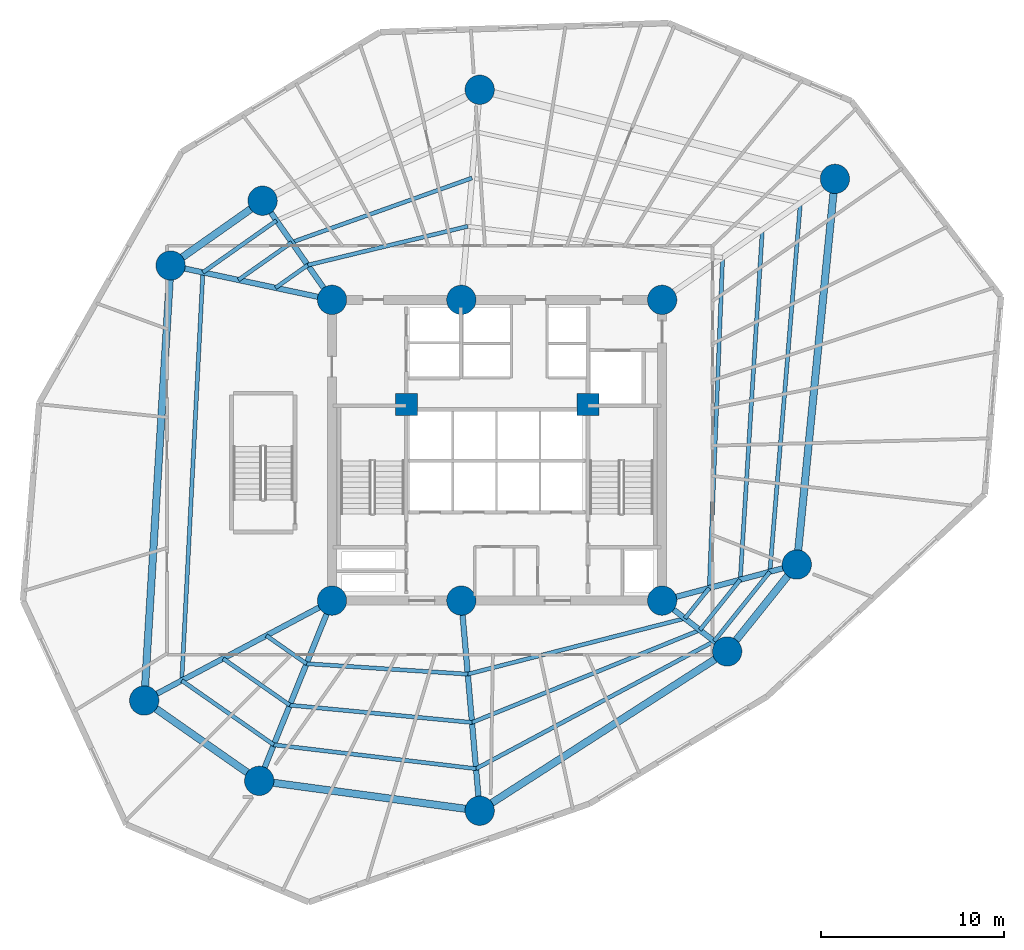
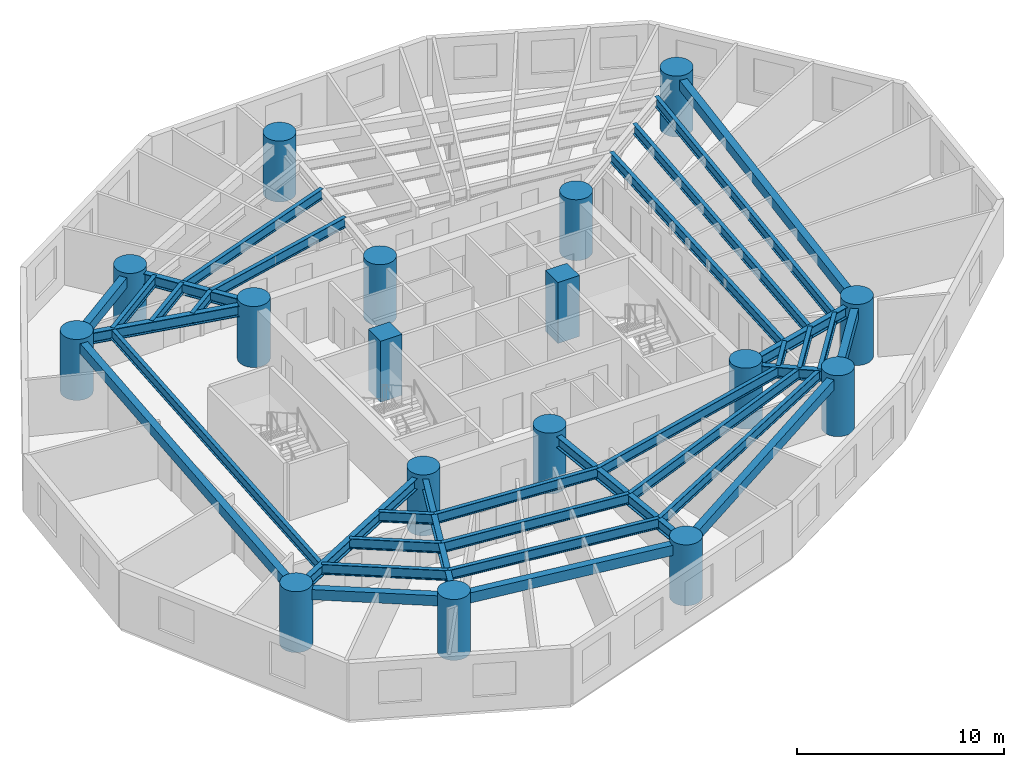
# One storey, part 1 of 8: 35 beams, 17 columns.
"""IFC4 building model written with IfcOpenShell, lengths in metres."""

from ifc_helpers import new_model, si_unit, direction, frame, origin, origin_with_axes, origin_2d, place, context, subcontext, project, spatial, rectangle, circle, i_section, extrude, source, transform, mapped, material, material_profile, profile_set, type_object, element, save


model = new_model("IFC4")

# Units and contexts
model_context = context("Model", 3, precision=1e-05, world=origin(), true_north=direction((0.0, 1.0)))
body_context = subcontext(model_context, "Body", "Model", "MODEL_VIEW")
ifc_project = project(units=[si_unit("LENGTHUNIT", "METRE"), si_unit("AREAUNIT", "SQUARE_METRE"), si_unit("VOLUMEUNIT", "CUBIC_METRE"), si_unit("PLANEANGLEUNIT", "RADIAN"), si_unit("MASSUNIT", "GRAM", prefix="KILO")], contexts=[model_context])

# Site, building, storey
site_placement = place(None, origin())
site = spatial("IfcSite", under=ifc_project, at=site_placement, CompositionType="ELEMENT")
building_placement = place(site_placement, origin())
building = spatial("IfcBuilding", under=site, at=building_placement, Name="Karkom Vertical University and Central Library", CompositionType="ELEMENT")
storey_placement = place(building_placement, frame((0.0, 0.0, 33.699951171875)))
storey = spatial("IfcBuildingStorey", under=building, at=storey_placement, Name="L08", CompositionType="ELEMENT", Elevation=33.699951171875)

# Columns
ifc_material_1 = material(Name="Concrete C50/60", Category="concrete")
ifc_material_profile_1 = material_profile(ifc_material_1, circle(Radius=0.800048828125, at=origin_2d()), Name="CFT-D1600")
ifc_profile_set_1 = profile_set([ifc_material_profile_1], Name="Concrete C50/60")
column_type_1 = type_object("IfcColumnType", Name="STR-COL-C-SC2", PredefinedType="COLUMN", material=ifc_profile_set_1)
shared_shape_1 = source(origin_with_axes(), body_context, "Body", "SweptSolid", [
    extrude(circle(Radius=0.800048828125, at=origin_2d()), origin(), (0.0, 0.0, 1.0), 3.60009765625),
])
for number, where, z_axis, x_axis, name in (
    (1, (19.5, 18.300048828125, 0.0), (0.0, 0.0, 1.0), (1.0, 0.0, 0.0), "Level 08 Spine Mega-Column SC-1"),
    (2, (26.550048828125, 18.300048828125, 0.0), (0.0, 0.0, 1.0), (1.0, 0.0, 0.0), "Level 08 Spine Mega-Column SC-2"),
    (3, (37.5, 18.300048828125, 0.0), (0.0, 0.0, 1.0), (1.0, 0.0, 0.0), "Level 08 Spine Mega-Column SC-3"),
    (4, (19.5, 34.699951171875, 0.0), (0.0, 0.0, 1.0), (1.0, 0.0, 0.0), "Level 08 Spine Mega-Column SC-4"),
    (5, (26.550048828125, 34.699951171875, 0.0), (0.0, 0.0, 1.0), (1.0, 0.0, 0.0), "Level 08 Spine Mega-Column SC-5"),
    (6, (37.5, 34.699951171875, 0.0), (0.0, 0.0, 1.0), (1.0, 0.0, 0.0), "Level 08 Spine Mega-Column SC-6"),
    (7, (44.841064453125, 20.26708984375, 0.0), (0.0, 0.0, 1.0), (1.0, 0.0, 0.0), "Level 08 Perimeter Mega-Column Z1-PC1"),
    (8, (46.919921875, 41.2958984375, 0.0), (0.0, 0.0, 1.0), (1.0, 0.0, 0.0), "Level 08 Perimeter Mega-Column Z1-PC2"),
    (9, (27.552001953125, 46.156005859375, 0.0), (0.0, 0.0, 1.0), (1.0, 0.0, 0.0), "Level 08 Perimeter Mega-Column Z1-PC3"),
    (10, (15.714111328125, 40.10595703125, 0.0), (0.0, 0.0, 1.0), (1.0, 0.0, 0.0), "Level 08 Perimeter Mega-Column Z1-PC4"),
    (11, (10.697021484375, 36.571044921875, 0.0), (0.0, 0.0, 1.0), (1.0, 0.0, 0.0), "Level 08 Perimeter Mega-Column Z1-PC5"),
    (12, (9.258056640625, 12.85400390625, 0.0), (0.0, 0.0, 1.0), (1.0, 0.0, 0.0), "Level 08 Perimeter Mega-Column Z1-PC6"),
    (13, (15.529052734375, 8.471923828125, 0.0), (0.0, 0.0, 1.0), (1.0, 0.0, 0.0), "Level 08 Perimeter Mega-Column Z1-PC7"),
    (14, (27.552001953125, 6.843994140625, 0.0), (0.0, 0.0, 1.0), (1.0, 0.0, 0.0), "Level 08 Perimeter Mega-Column Z1-PC8"),
    (15, (41.0458984375, 15.530029296875, 0.0), (0.0, 0.0, 1.0), (1.0, 0.0, 0.0), "Level 08 Perimeter Mega-Column Z1-PC9"),
):
    element("IfcColumn", number, at=place(storey_placement, frame(where, z_axis=z_axis, x_axis=x_axis)), inside=storey, type_object=column_type_1, Name=name, PredefinedType="COLUMN", context=body_context, shape_type="MappedRepresentation", body=[
        mapped(shared_shape_1, transform((0.0, 0.0, 0.0), scale=1.0)),
    ])
ifc_material_profile_2 = material_profile(ifc_material_1, rectangle(XDim=1.199951171875, YDim=1.199951171875, at=origin_2d()), Name="RC-1200x1200")
ifc_profile_set_2 = profile_set([ifc_material_profile_2], Name="Concrete C50/60")
column_type_2 = type_object("IfcColumnType", Name="STR-COL-C-CC1", PredefinedType="COLUMN", material=ifc_profile_set_2)
shared_shape_2 = source(origin_with_axes(), body_context, "Body", "SweptSolid", [
    extrude(rectangle(XDim=1.199951171875, YDim=1.199951171875, at=origin_2d()), origin(), (0.0, 0.0, 1.0), 3.60009765625),
])
for number, where, z_axis, x_axis, name in (
    (16, (23.550048828125, 29.0, 0.0), (0.0, 0.0, 1.0), (1.0, 0.0, 0.0), "Level 08 Core Node Column CC-1"),
    (17, (33.449951171875, 29.0, 0.0), (0.0, 0.0, 1.0), (1.0, 0.0, 0.0), "Level 08 Core Node Column CC-2"),
):
    element("IfcColumn", number, at=place(storey_placement, frame(where, z_axis=z_axis, x_axis=x_axis)), inside=storey, type_object=column_type_2, Name=name, PredefinedType="COLUMN", context=body_context, shape_type="MappedRepresentation", body=[
        mapped(shared_shape_2, transform((0.0, 0.0, 0.0), scale=1.0)),
    ])

# Beams
ifc_material_2 = material(Name="Steel S355", Category="steel")
ifc_material_profile_3 = material_profile(ifc_material_2, i_section(OverallWidth=0.300048828125, OverallDepth=0.64990234375, WebThickness=0.01611328125, FlangeThickness=0.031005859375, FilletRadius=0.027099609375, at=origin_2d()), Name="HE 650 B")
ifc_profile_set_3 = profile_set([ifc_material_profile_3], Name="Steel S355")
beam_type_1 = type_object("IfcBeamType", Name="STR-BM-SB-HE650", PredefinedType="USERDEFINED", material=ifc_profile_set_3)
shared_shape_3 = source(origin_with_axes(), body_context, "Body", "SweptSolid", [
    extrude(i_section(OverallWidth=0.300048828125, OverallDepth=0.64990234375, WebThickness=0.01611328125, FlangeThickness=0.031005859375, FilletRadius=0.027099609375, at=origin_2d()), origin(), (0.0, 0.0, 1.0), 7.60009765625),
])
beam_1_placement = place(storey_placement, frame((37.5, 18.300048828125, 3.025146484375), z_axis=(0.965925539322, 0.258820116077, 0.0), x_axis=(-0.258820116077, 0.965925539322, 0.0)))
element("IfcBeam", 18, at=beam_1_placement, inside=storey, type_object=beam_type_1, Name="Level 08 Radial Frame Girder 01", ObjectType="GIRDER", PredefinedType="USERDEFINED", context=body_context, shape_type="MappedRepresentation", body=[
    mapped(shared_shape_3, transform((0.0, 0.0, 0.0), scale=1.0)),
])
shared_shape_4 = source(origin_with_axes(), body_context, "Body", "SweptSolid", [
    extrude(i_section(OverallWidth=0.300048828125, OverallDepth=0.64990234375, WebThickness=0.01611328125, FlangeThickness=0.031005859375, FilletRadius=0.027099609375, at=origin_2d()), origin(), (0.0, 0.0, 1.0), 11.499755859375),
])
beam_2_placement = place(storey_placement, frame((26.550048828125, 18.300048828125, 3.025146484375), z_axis=(0.087127973109, -0.99619712723, 0.0), x_axis=(0.99619712723, 0.087127973109, 0.0)))
element("IfcBeam", 19, at=beam_2_placement, inside=storey, type_object=beam_type_1, Name="Level 08 Radial Frame Girder 08", ObjectType="GIRDER", PredefinedType="USERDEFINED", context=body_context, shape_type="MappedRepresentation", body=[
    mapped(shared_shape_4, transform((0.0, 0.0, 0.0), scale=1.0)),
])
shared_shape_5 = source(origin_with_axes(), body_context, "Body", "SweptSolid", [
    extrude(i_section(OverallWidth=0.300048828125, OverallDepth=0.64990234375, WebThickness=0.01611328125, FlangeThickness=0.031005859375, FilletRadius=0.027099609375, at=origin_2d()), origin(), (0.0, 0.0, 1.0), 6.599853515625),
])
beam_3_placement = place(storey_placement, frame((19.5, 34.699951171875, 3.025146484375), z_axis=(-0.573633636671, 0.819111989218, 0.0), x_axis=(-0.819111989218, -0.573633636671, 0.0)))
element("IfcBeam", 20, at=beam_3_placement, inside=storey, type_object=beam_type_1, Name="Level 08 Radial Frame Girder 04", ObjectType="GIRDER", PredefinedType="USERDEFINED", context=body_context, shape_type="MappedRepresentation", body=[
    mapped(shared_shape_5, transform((0.0, 0.0, 0.0), scale=1.0)),
])
shared_shape_6 = source(origin_with_axes(), body_context, "Body", "SweptSolid", [
    extrude(i_section(OverallWidth=0.300048828125, OverallDepth=0.64990234375, WebThickness=0.01611328125, FlangeThickness=0.031005859375, FilletRadius=0.027099609375, at=origin_2d()), origin(), (0.0, 0.0, 1.0), 8.999755859375),
])
beam_4_placement = place(storey_placement, frame((19.5, 34.699951171875, 3.025146484375), z_axis=(-0.978148438993, 0.207907747079, 0.0), x_axis=(-0.207907747079, -0.978148438993, 0.0)))
element("IfcBeam", 21, at=beam_4_placement, inside=storey, type_object=beam_type_1, Name="Level 08 Radial Frame Girder 05", ObjectType="GIRDER", PredefinedType="USERDEFINED", context=body_context, shape_type="MappedRepresentation", body=[
    mapped(shared_shape_6, transform((0.0, 0.0, 0.0), scale=1.0)),
])
shared_shape_7 = source(origin_with_axes(), body_context, "Body", "SweptSolid", [
    extrude(i_section(OverallWidth=0.300048828125, OverallDepth=0.64990234375, WebThickness=0.01611328125, FlangeThickness=0.031005859375, FilletRadius=0.027099609375, at=origin_2d()), origin(), (0.0, 0.0, 1.0), 11.599853515625),
])
beam_5_placement = place(storey_placement, frame((19.5, 18.300048828125, 3.025146484375), z_axis=(-0.882936620635, -0.469492197957, 0.0), x_axis=(0.469492197957, -0.882936620635, 0.0)))
element("IfcBeam", 22, at=beam_5_placement, inside=storey, type_object=beam_type_1, Name="Level 08 Radial Frame Girder 06", ObjectType="GIRDER", PredefinedType="USERDEFINED", context=body_context, shape_type="MappedRepresentation", body=[
    mapped(shared_shape_7, transform((0.0, 0.0, 0.0), scale=1.0)),
])
shared_shape_8 = source(origin_with_axes(), body_context, "Body", "SweptSolid", [
    extrude(i_section(OverallWidth=0.300048828125, OverallDepth=0.64990234375, WebThickness=0.01611328125, FlangeThickness=0.031005859375, FilletRadius=0.027099609375, at=origin_2d()), origin(), (0.0, 0.0, 1.0), 10.60009765625),
])
beam_6_placement = place(storey_placement, frame((19.5, 18.300048828125, 3.025146484375), z_axis=(-0.374616894394, -0.927179692635, 0.0), x_axis=(0.927179692635, -0.374616894394, 0.0)))
element("IfcBeam", 23, at=beam_6_placement, inside=storey, type_object=beam_type_1, Name="Level 08 Radial Frame Girder 07", ObjectType="GIRDER", PredefinedType="USERDEFINED", context=body_context, shape_type="MappedRepresentation", body=[
    mapped(shared_shape_8, transform((0.0, 0.0, 0.0), scale=1.0)),
])
shared_shape_9 = source(origin_with_axes(), body_context, "Body", "SweptSolid", [
    extrude(i_section(OverallWidth=0.300048828125, OverallDepth=0.64990234375, WebThickness=0.01611328125, FlangeThickness=0.031005859375, FilletRadius=0.027099609375, at=origin_2d()), origin(), (0.0, 0.0, 1.0), 4.49951171875),
])
beam_7_placement = place(storey_placement, frame((37.5, 18.300048828125, 3.025146484375), z_axis=(0.788047405801, -0.615614559778, 0.0), x_axis=(0.615614559778, 0.788047405801, 0.0)))
element("IfcBeam", 24, at=beam_7_placement, inside=storey, type_object=beam_type_1, Name="Level 08 Radial Frame Girder 09", ObjectType="GIRDER", PredefinedType="USERDEFINED", context=body_context, shape_type="MappedRepresentation", body=[
    mapped(shared_shape_9, transform((0.0, 0.0, 0.0), scale=1.0)),
])
ifc_material_3 = material(Name="Precast concrete C45/55", Category="concrete")
ifc_material_profile_4 = material_profile(ifc_material_3, rectangle(XDim=0.39990234375, YDim=0.60009765625, at=origin_2d()), Name="SPB-400x600")
ifc_profile_set_4 = profile_set([ifc_material_profile_4], Name="Precast concrete C45/55")
beam_type_2 = type_object("IfcBeamType", Name="STR-BM-SP-1", PredefinedType="SPANDREL", material=ifc_profile_set_4)
shared_shape_10 = source(origin_with_axes(), body_context, "Body", "SweptSolid", [
    extrude(rectangle(XDim=0.39990234375, YDim=0.60009765625, at=origin_2d()), origin(), (0.0, 0.0, 1.0), 21.13134765625),
])
beam_8_placement = place(storey_placement, frame((44.841064453125, 20.26708984375, 3.050048828125), z_axis=(0.0983780471, 0.995149114379, 0.0), x_axis=(-0.995149114379, 0.0983780471, 0.0)))
element("IfcBeam", 25, at=beam_8_placement, inside=storey, type_object=beam_type_2, Name="Level 08 Perimeter Spandrel Beam 01", PredefinedType="SPANDREL", context=body_context, shape_type="MappedRepresentation", body=[
    mapped(shared_shape_10, transform((0.0, 0.0, 0.0), scale=1.0)),
])
shared_shape_11 = source(origin_with_axes(), body_context, "Body", "SweptSolid", [
    extrude(rectangle(XDim=0.39990234375, YDim=0.60009765625, at=origin_2d()), origin(), (0.0, 0.0, 1.0), 6.13720703125),
])
beam_9_placement = place(storey_placement, frame((15.714111328125, 40.10595703125, 3.050048828125), z_axis=(-0.817471365538, -0.575969240955, 0.0), x_axis=(0.575969240955, -0.817471365538, 0.0)))
element("IfcBeam", 26, at=beam_9_placement, inside=storey, type_object=beam_type_2, Name="Level 08 Perimeter Spandrel Beam 04", PredefinedType="SPANDREL", context=body_context, shape_type="MappedRepresentation", body=[
    mapped(shared_shape_11, transform((0.0, 0.0, 0.0), scale=1.0)),
])
shared_shape_12 = source(origin_with_axes(), body_context, "Body", "SweptSolid", [
    extrude(rectangle(XDim=0.39990234375, YDim=0.60009765625, at=origin_2d()), origin(), (0.0, 0.0, 1.0), 23.7607421875),
])
beam_10_placement = place(storey_placement, frame((10.697021484375, 36.571044921875, 3.050048828125), z_axis=(-0.060560827767, -0.998164508556, 0.0), x_axis=(0.998164508556, -0.060560827767, 0.0)))
element("IfcBeam", 27, at=beam_10_placement, inside=storey, type_object=beam_type_2, Name="Level 08 Perimeter Spandrel Beam 05", PredefinedType="SPANDREL", context=body_context, shape_type="MappedRepresentation", body=[
    mapped(shared_shape_12, transform((0.0, 0.0, 0.0), scale=1.0)),
])
shared_shape_13 = source(origin_with_axes(), body_context, "Body", "SweptSolid", [
    extrude(rectangle(XDim=0.39990234375, YDim=0.60009765625, at=origin_2d()), origin(), (0.0, 0.0, 1.0), 7.650390625),
])
beam_11_placement = place(storey_placement, frame((9.258056640625, 12.85400390625, 3.050048828125), z_axis=(0.819699409527, -0.572793922822, 0.0), x_axis=(0.572793922822, 0.819699409527, 0.0)))
element("IfcBeam", 28, at=beam_11_placement, inside=storey, type_object=beam_type_2, Name="Level 08 Perimeter Spandrel Beam 06", PredefinedType="SPANDREL", context=body_context, shape_type="MappedRepresentation", body=[
    mapped(shared_shape_13, transform((0.0, 0.0, 0.0), scale=1.0)),
])
shared_shape_14 = source(origin_with_axes(), body_context, "Body", "SweptSolid", [
    extrude(rectangle(XDim=0.39990234375, YDim=0.60009765625, at=origin_2d()), origin(), (0.0, 0.0, 1.0), 12.132568359375),
])
beam_12_placement = place(storey_placement, frame((15.529052734375, 8.471923828125, 3.050048828125), z_axis=(0.990957319008, -0.134177464223, 0.0), x_axis=(0.134177464223, 0.990957319008, 0.0)))
element("IfcBeam", 29, at=beam_12_placement, inside=storey, type_object=beam_type_2, Name="Level 08 Perimeter Spandrel Beam 07", PredefinedType="SPANDREL", context=body_context, shape_type="MappedRepresentation", body=[
    mapped(shared_shape_14, transform((0.0, 0.0, 0.0), scale=1.0)),
])
shared_shape_15 = source(origin_with_axes(), body_context, "Body", "SweptSolid", [
    extrude(rectangle(XDim=0.39990234375, YDim=0.60009765625, at=origin_2d()), origin(), (0.0, 0.0, 1.0), 16.0478515625),
])
beam_13_placement = place(storey_placement, frame((27.552001953125, 6.843994140625, 3.050048828125), z_axis=(0.84085555045, 0.541259589548, 0.0), x_axis=(-0.541259589548, 0.84085555045, 0.0)))
element("IfcBeam", 30, at=beam_13_placement, inside=storey, type_object=beam_type_2, Name="Level 08 Perimeter Spandrel Beam 08", PredefinedType="SPANDREL", context=body_context, shape_type="MappedRepresentation", body=[
    mapped(shared_shape_15, transform((0.0, 0.0, 0.0), scale=1.0)),
])
shared_shape_16 = source(origin_with_axes(), body_context, "Body", "SweptSolid", [
    extrude(rectangle(XDim=0.39990234375, YDim=0.60009765625, at=origin_2d()), origin(), (0.0, 0.0, 1.0), 6.06982421875),
])
beam_14_placement = place(storey_placement, frame((41.0458984375, 15.530029296875, 3.050048828125), z_axis=(0.625249167344, 0.780425190992, 0.0), x_axis=(-0.780425190992, 0.625249167344, 0.0)))
element("IfcBeam", 31, at=beam_14_placement, inside=storey, type_object=beam_type_2, Name="Level 08 Perimeter Spandrel Beam 09", PredefinedType="SPANDREL", context=body_context, shape_type="MappedRepresentation", body=[
    mapped(shared_shape_16, transform((0.0, 0.0, 0.0), scale=1.0)),
])
ifc_material_profile_5 = material_profile(ifc_material_2, i_section(OverallWidth=0.219970703125, OverallDepth=0.60009765625, WebThickness=0.011962890625, FlangeThickness=0.01904296875, FilletRadius=0.02392578125, at=origin_2d()), Name="IPE 600")
ifc_profile_set_5 = profile_set([ifc_material_profile_5], Name="Steel S355")
beam_type_3 = type_object("IfcBeamType", Name="STR-BM-SB-IPE600", PredefinedType="BEAM", material=ifc_profile_set_5)
shared_shape_17 = source(origin_with_axes(), body_context, "Body", "SweptSolid", [
    extrude(i_section(OverallWidth=0.219970703125, OverallDepth=0.60009765625, WebThickness=0.011962890625, FlangeThickness=0.01904296875, FilletRadius=0.02392578125, at=origin_2d()), origin(), (0.0, 0.0, 1.0), 18.03466796875),
])
beam_15_placement = place(storey_placement, frame((40.0693359375, 18.988525390625, 3.050048828125), z_axis=(0.04035458262, 0.999185422062, 0.0), x_axis=(-0.999185422062, 0.04035458262, 0.0)))
element("IfcBeam", 32, at=beam_15_placement, inside=storey, type_object=beam_type_3, Name="Level 08 Secondary Composite Floor Beam 1.01", PredefinedType="BEAM", context=body_context, shape_type="MappedRepresentation", body=[
    mapped(shared_shape_17, transform((0.0, 0.0, 0.0), scale=1.0)),
])
shared_shape_18 = source(origin_with_axes(), body_context, "Body", "SweptSolid", [
    extrude(i_section(OverallWidth=0.219970703125, OverallDepth=0.60009765625, WebThickness=0.011962890625, FlangeThickness=0.01904296875, FilletRadius=0.02392578125, at=origin_2d()), origin(), (0.0, 0.0, 1.0), 8.97900390625),
])
beam_16_placement = place(storey_placement, frame((26.900634765625, 38.709716796875, 3.050048828125), z_axis=(-0.971790837509, -0.235844372697, 0.0), x_axis=(0.235844372697, -0.971790837509, 0.0)))
element("IfcBeam", 33, at=beam_16_placement, inside=storey, type_object=beam_type_3, Name="Level 08 Secondary Composite Floor Beam 1.03", PredefinedType="BEAM", context=body_context, shape_type="MappedRepresentation", body=[
    mapped(shared_shape_18, transform((0.0, 0.0, 0.0), scale=1.0)),
])
shared_shape_19 = source(origin_with_axes(), body_context, "Body", "SweptSolid", [
    extrude(i_section(OverallWidth=0.219970703125, OverallDepth=0.60009765625, WebThickness=0.011962890625, FlangeThickness=0.01904296875, FilletRadius=0.02392578125, at=origin_2d()), origin(), (0.0, 0.0, 1.0), 2.14794921875),
])
beam_17_placement = place(storey_placement, frame((18.1748046875, 36.592041015625, 3.050048828125), z_axis=(-0.817433780971, -0.576022580918, 0.0), x_axis=(0.576022580918, -0.817433780971, 0.0)))
element("IfcBeam", 34, at=beam_17_placement, inside=storey, type_object=beam_type_3, Name="Level 08 Secondary Composite Floor Beam 1.04", PredefinedType="BEAM", context=body_context, shape_type="MappedRepresentation", body=[
    mapped(shared_shape_19, transform((0.0, 0.0, 0.0), scale=1.0)),
])
shared_shape_20 = source(origin_with_axes(), body_context, "Body", "SweptSolid", [
    extrude(i_section(OverallWidth=0.219970703125, OverallDepth=0.60009765625, WebThickness=0.011962890625, FlangeThickness=0.01904296875, FilletRadius=0.02392578125, at=origin_2d()), origin(), (0.0, 0.0, 1.0), 2.677490234375),
])
beam_18_placement = place(storey_placement, frame((15.915283203125, 16.393798828125, 3.050048828125), z_axis=(0.819702839548, -0.572789014243, 0.0), x_axis=(0.572789014243, 0.819702839548, 0.0)))
element("IfcBeam", 35, at=beam_18_placement, inside=storey, type_object=beam_type_3, Name="Level 08 Secondary Composite Floor Beam 1.06", PredefinedType="BEAM", context=body_context, shape_type="MappedRepresentation", body=[
    mapped(shared_shape_20, transform((0.0, 0.0, 0.0), scale=1.0)),
])
shared_shape_21 = source(origin_with_axes(), body_context, "Body", "SweptSolid", [
    extrude(i_section(OverallWidth=0.219970703125, OverallDepth=0.60009765625, WebThickness=0.011962890625, FlangeThickness=0.01904296875, FilletRadius=0.02392578125, at=origin_2d()), origin(), (0.0, 0.0, 1.0), 8.80908203125),
])
beam_19_placement = place(storey_placement, frame((18.110107421875, 14.860107421875, 3.050048828125), z_axis=(0.997905617906, -0.064686766433, 0.0), x_axis=(0.064686766433, 0.997905617906, 0.0)))
element("IfcBeam", 36, at=beam_19_placement, inside=storey, type_object=beam_type_3, Name="Level 08 Secondary Composite Floor Beam 1.07", PredefinedType="BEAM", context=body_context, shape_type="MappedRepresentation", body=[
    mapped(shared_shape_21, transform((0.0, 0.0, 0.0), scale=1.0)),
])
shared_shape_22 = source(origin_with_axes(), body_context, "Body", "SweptSolid", [
    extrude(i_section(OverallWidth=0.219970703125, OverallDepth=0.60009765625, WebThickness=0.011962890625, FlangeThickness=0.01904296875, FilletRadius=0.02392578125, at=origin_2d()), origin(), (0.0, 0.0, 1.0), 12.224609375),
])
beam_20_placement = place(storey_placement, frame((26.900634765625, 14.290283203125, 3.050048828125), z_axis=(0.968580403264, 0.248700628092, 0.0), x_axis=(-0.248700628092, 0.968580403264, 0.0)))
element("IfcBeam", 37, at=beam_20_placement, inside=storey, type_object=beam_type_3, Name="Level 08 Secondary Composite Floor Beam 1.08", PredefinedType="BEAM", context=body_context, shape_type="MappedRepresentation", body=[
    mapped(shared_shape_22, transform((0.0, 0.0, 0.0), scale=1.0)),
])
shared_shape_23 = source(origin_with_axes(), body_context, "Body", "SweptSolid", [
    extrude(i_section(OverallWidth=0.219970703125, OverallDepth=0.60009765625, WebThickness=0.011962890625, FlangeThickness=0.01904296875, FilletRadius=0.02392578125, at=origin_2d()), origin(), (0.0, 0.0, 1.0), 2.124267578125),
])
beam_21_placement = place(storey_placement, frame((38.7412109375, 17.33056640625, 3.050048828125), z_axis=(0.625199471959, 0.780465002587, 0.0), x_axis=(-0.780465002587, 0.625199471959, 0.0)))
element("IfcBeam", 38, at=beam_21_placement, inside=storey, type_object=beam_type_3, Name="Level 08 Secondary Composite Floor Beam 1.09", PredefinedType="BEAM", context=body_context, shape_type="MappedRepresentation", body=[
    mapped(shared_shape_23, transform((0.0, 0.0, 0.0), scale=1.0)),
])
shared_shape_24 = source(origin_with_axes(), body_context, "Body", "SweptSolid", [
    extrude(i_section(OverallWidth=0.219970703125, OverallDepth=0.60009765625, WebThickness=0.011962890625, FlangeThickness=0.01904296875, FilletRadius=0.02392578125, at=origin_2d()), origin(), (0.0, 0.0, 1.0), 19.122802734375),
])
beam_22_placement = place(storey_placement, frame((41.7578125, 19.44091796875, 3.050048828125), z_axis=(0.063056264597, 0.998009973645, 0.0), x_axis=(-0.998009973645, 0.063056264597, 0.0)))
element("IfcBeam", 39, at=beam_22_placement, inside=storey, type_object=beam_type_3, Name="Level 08 Secondary Composite Floor Beam 2.01", PredefinedType="BEAM", context=body_context, shape_type="MappedRepresentation", body=[
    mapped(shared_shape_24, transform((0.0, 0.0, 0.0), scale=1.0)),
])
shared_shape_25 = source(origin_with_axes(), body_context, "Body", "SweptSolid", [
    extrude(i_section(OverallWidth=0.219970703125, OverallDepth=0.60009765625, WebThickness=0.011962890625, FlangeThickness=0.01904296875, FilletRadius=0.02392578125, at=origin_2d()), origin(), (0.0, 0.0, 1.0), 10.4345703125),
])
beam_23_placement = place(storey_placement, frame((27.131103515625, 41.344482421875, 3.050048828125), z_axis=(-0.941759378798, -0.336287484819, 0.0), x_axis=(0.336287484819, -0.941759378798, 0.0)))
element("IfcBeam", 40, at=beam_23_placement, inside=storey, type_object=beam_type_3, Name="Level 08 Secondary Composite Floor Beam 2.03", PredefinedType="BEAM", context=body_context, shape_type="MappedRepresentation", body=[
    mapped(shared_shape_25, transform((0.0, 0.0, 0.0), scale=1.0)),
])
shared_shape_26 = source(origin_with_axes(), body_context, "Body", "SweptSolid", [
    extrude(i_section(OverallWidth=0.219970703125, OverallDepth=0.60009765625, WebThickness=0.011962890625, FlangeThickness=0.01904296875, FilletRadius=0.02392578125, at=origin_2d()), origin(), (0.0, 0.0, 1.0), 3.5595703125),
])
beam_24_placement = place(storey_placement, frame((17.30419921875, 37.83544921875, 3.050048828125), z_axis=(-0.817465552849, -0.575977490798, 0.0), x_axis=(0.575977490798, -0.817465552849, 0.0)))
element("IfcBeam", 41, at=beam_24_placement, inside=storey, type_object=beam_type_3, Name="Level 08 Secondary Composite Floor Beam 2.04", PredefinedType="BEAM", context=body_context, shape_type="MappedRepresentation", body=[
    mapped(shared_shape_26, transform((0.0, 0.0, 0.0), scale=1.0)),
])
shared_shape_27 = source(origin_with_axes(), body_context, "Body", "SweptSolid", [
    extrude(i_section(OverallWidth=0.219970703125, OverallDepth=0.60009765625, WebThickness=0.011962890625, FlangeThickness=0.01904296875, FilletRadius=0.02392578125, at=origin_2d()), origin(), (0.0, 0.0, 1.0), 4.437255859375),
])
beam_25_placement = place(storey_placement, frame((13.5595703125, 15.141357421875, 3.050048828125), z_axis=(0.819712425733, -0.572775295468, 0.0), x_axis=(0.572775295468, 0.819712425733, 0.0)))
element("IfcBeam", 42, at=beam_25_placement, inside=storey, type_object=beam_type_3, Name="Level 08 Secondary Composite Floor Beam 2.06", PredefinedType="BEAM", context=body_context, shape_type="MappedRepresentation", body=[
    mapped(shared_shape_27, transform((0.0, 0.0, 0.0), scale=1.0)),
])
shared_shape_28 = source(origin_with_axes(), body_context, "Body", "SweptSolid", [
    extrude(i_section(OverallWidth=0.219970703125, OverallDepth=0.60009765625, WebThickness=0.011962890625, FlangeThickness=0.01904296875, FilletRadius=0.02392578125, at=origin_2d()), origin(), (0.0, 0.0, 1.0), 9.97900390625),
])
beam_26_placement = place(storey_placement, frame((17.19677734375, 12.599853515625, 3.050048828125), z_axis=(0.995512389915, -0.094631292526, 0.0), x_axis=(0.094631292526, 0.995512389915, 0.0)))
element("IfcBeam", 43, at=beam_26_placement, inside=storey, type_object=beam_type_3, Name="Level 08 Secondary Composite Floor Beam 2.07", PredefinedType="BEAM", context=body_context, shape_type="MappedRepresentation", body=[
    mapped(shared_shape_28, transform((0.0, 0.0, 0.0), scale=1.0)),
])
shared_shape_29 = source(origin_with_axes(), body_context, "Body", "SweptSolid", [
    extrude(i_section(OverallWidth=0.219970703125, OverallDepth=0.60009765625, WebThickness=0.011962890625, FlangeThickness=0.01904296875, FilletRadius=0.02392578125, at=origin_2d()), origin(), (0.0, 0.0, 1.0), 13.407958984375),
])
beam_27_placement = place(storey_placement, frame((27.131103515625, 11.655517578125, 3.050048828125), z_axis=(0.926727273371, 0.375734694685, 0.0), x_axis=(-0.375734694685, 0.926727273371, 0.0)))
element("IfcBeam", 44, at=beam_27_placement, inside=storey, type_object=beam_type_3, Name="Level 08 Secondary Composite Floor Beam 2.08", PredefinedType="BEAM", context=body_context, shape_type="MappedRepresentation", body=[
    mapped(shared_shape_29, transform((0.0, 0.0, 0.0), scale=1.0)),
])
shared_shape_30 = source(origin_with_axes(), body_context, "Body", "SweptSolid", [
    extrude(i_section(OverallWidth=0.219970703125, OverallDepth=0.60009765625, WebThickness=0.011962890625, FlangeThickness=0.01904296875, FilletRadius=0.02392578125, at=origin_2d()), origin(), (0.0, 0.0, 1.0), 3.5205078125),
])
beam_28_placement = place(storey_placement, frame((39.556640625, 16.693359375, 3.050048828125), z_axis=(0.62523614548, 0.780435623473, 0.0), x_axis=(-0.780435623473, 0.62523614548, 0.0)))
element("IfcBeam", 45, at=beam_28_placement, inside=storey, type_object=beam_type_3, Name="Level 08 Secondary Composite Floor Beam 2.09", PredefinedType="BEAM", context=body_context, shape_type="MappedRepresentation", body=[
    mapped(shared_shape_30, transform((0.0, 0.0, 0.0), scale=1.0)),
])
shared_shape_31 = source(origin_with_axes(), body_context, "Body", "SweptSolid", [
    extrude(i_section(OverallWidth=0.219970703125, OverallDepth=0.60009765625, WebThickness=0.011962890625, FlangeThickness=0.01904296875, FilletRadius=0.02392578125, at=origin_2d()), origin(), (0.0, 0.0, 1.0), 20.171875),
])
beam_29_placement = place(storey_placement, frame((43.372802734375, 19.87353515625, 3.050048828125), z_axis=(0.082445490935, 0.996595575459, 0.0), x_axis=(-0.996595575459, 0.082445490935, 0.0)))
element("IfcBeam", 46, at=beam_29_placement, inside=storey, type_object=beam_type_3, Name="Level 08 Secondary Composite Floor Beam 3.01", PredefinedType="BEAM", context=body_context, shape_type="MappedRepresentation", body=[
    mapped(shared_shape_31, transform((0.0, 0.0, 0.0), scale=1.0)),
])
shared_shape_32 = source(origin_with_axes(), body_context, "Body", "SweptSolid", [
    extrude(i_section(OverallWidth=0.219970703125, OverallDepth=0.60009765625, WebThickness=0.011962890625, FlangeThickness=0.01904296875, FilletRadius=0.02392578125, at=origin_2d()), origin(), (0.0, 0.0, 1.0), 4.909912109375),
])
beam_30_placement = place(storey_placement, frame((16.47119140625, 39.02490234375, 3.050048828125), z_axis=(-0.817452635759, -0.575995823153, 0.0), x_axis=(0.575995823153, -0.817452635759, 0.0)))
element("IfcBeam", 47, at=beam_30_placement, inside=storey, type_object=beam_type_3, Name="Level 08 Secondary Composite Floor Beam 3.04", PredefinedType="BEAM", context=body_context, shape_type="MappedRepresentation", body=[
    mapped(shared_shape_32, transform((0.0, 0.0, 0.0), scale=1.0)),
])
shared_shape_33 = source(origin_with_axes(), body_context, "Body", "SweptSolid", [
    extrude(i_section(OverallWidth=0.219970703125, OverallDepth=0.60009765625, WebThickness=0.011962890625, FlangeThickness=0.01904296875, FilletRadius=0.02392578125, at=origin_2d()), origin(), (0.0, 0.0, 1.0), 22.283447265625),
])
beam_31_placement = place(storey_placement, frame((12.45751953125, 36.19677734375, 3.050048828125), z_axis=(-0.051658288147, -0.998664819279, 0.0), x_axis=(0.998664819279, -0.051658288147, 0.0)))
element("IfcBeam", 48, at=beam_31_placement, inside=storey, type_object=beam_type_3, Name="Level 08 Secondary Composite Floor Beam 3.05", PredefinedType="BEAM", context=body_context, shape_type="MappedRepresentation", body=[
    mapped(shared_shape_33, transform((0.0, 0.0, 0.0), scale=1.0)),
])
shared_shape_34 = source(origin_with_axes(), body_context, "Body", "SweptSolid", [
    extrude(i_section(OverallWidth=0.219970703125, OverallDepth=0.60009765625, WebThickness=0.011962890625, FlangeThickness=0.01904296875, FilletRadius=0.02392578125, at=origin_2d()), origin(), (0.0, 0.0, 1.0), 6.120361328125),
])
beam_32_placement = place(storey_placement, frame((11.306396484375, 13.943115234375, 3.050048828125), z_axis=(0.81970577287, -0.572784816422, 0.0), x_axis=(0.572784816422, 0.81970577287, 0.0)))
element("IfcBeam", 49, at=beam_32_placement, inside=storey, type_object=beam_type_3, Name="Level 08 Secondary Composite Floor Beam 3.06", PredefinedType="BEAM", context=body_context, shape_type="MappedRepresentation", body=[
    mapped(shared_shape_34, transform((0.0, 0.0, 0.0), scale=1.0)),
])
shared_shape_35 = source(origin_with_axes(), body_context, "Body", "SweptSolid", [
    extrude(i_section(OverallWidth=0.219970703125, OverallDepth=0.60009765625, WebThickness=0.011962890625, FlangeThickness=0.01904296875, FilletRadius=0.02392578125, at=origin_2d()), origin(), (0.0, 0.0, 1.0), 11.10498046875),
])
beam_33_placement = place(storey_placement, frame((16.3232421875, 10.4375, 3.050048828125), z_axis=(0.993100390447, -0.117267278018, 0.0), x_axis=(0.117267278018, 0.993100390447, 0.0)))
element("IfcBeam", 50, at=beam_33_placement, inside=storey, type_object=beam_type_3, Name="Level 08 Secondary Composite Floor Beam 3.07", PredefinedType="BEAM", context=body_context, shape_type="MappedRepresentation", body=[
    mapped(shared_shape_35, transform((0.0, 0.0, 0.0), scale=1.0)),
])
shared_shape_36 = source(origin_with_axes(), body_context, "Body", "SweptSolid", [
    extrude(i_section(OverallWidth=0.219970703125, OverallDepth=0.60009765625, WebThickness=0.011962890625, FlangeThickness=0.01904296875, FilletRadius=0.02392578125, at=origin_2d()), origin(), (0.0, 0.0, 1.0), 14.727783203125),
])
beam_34_placement = place(storey_placement, frame((27.3515625, 9.13525390625, 3.050048828125), z_axis=(0.881697726656, 0.471814708131, 0.0), x_axis=(-0.471814708131, 0.881697726656, 0.0)))
element("IfcBeam", 51, at=beam_34_placement, inside=storey, type_object=beam_type_3, Name="Level 08 Secondary Composite Floor Beam 3.08", PredefinedType="BEAM", context=body_context, shape_type="MappedRepresentation", body=[
    mapped(shared_shape_36, transform((0.0, 0.0, 0.0), scale=1.0)),
])
shared_shape_37 = source(origin_with_axes(), body_context, "Body", "SweptSolid", [
    extrude(i_section(OverallWidth=0.219970703125, OverallDepth=0.60009765625, WebThickness=0.011962890625, FlangeThickness=0.01904296875, FilletRadius=0.02392578125, at=origin_2d()), origin(), (0.0, 0.0, 1.0), 4.855712890625),
])
beam_35_placement = place(storey_placement, frame((40.3369140625, 16.083984375, 3.050048828125), z_axis=(0.62522835738, 0.780441862747, 0.0), x_axis=(-0.780441862747, 0.62522835738, 0.0)))
element("IfcBeam", 52, at=beam_35_placement, inside=storey, type_object=beam_type_3, Name="Level 08 Secondary Composite Floor Beam 3.09", PredefinedType="BEAM", context=body_context, shape_type="MappedRepresentation", body=[
    mapped(shared_shape_37, transform((0.0, 0.0, 0.0), scale=1.0)),
])

save(model, "model.ifc")
